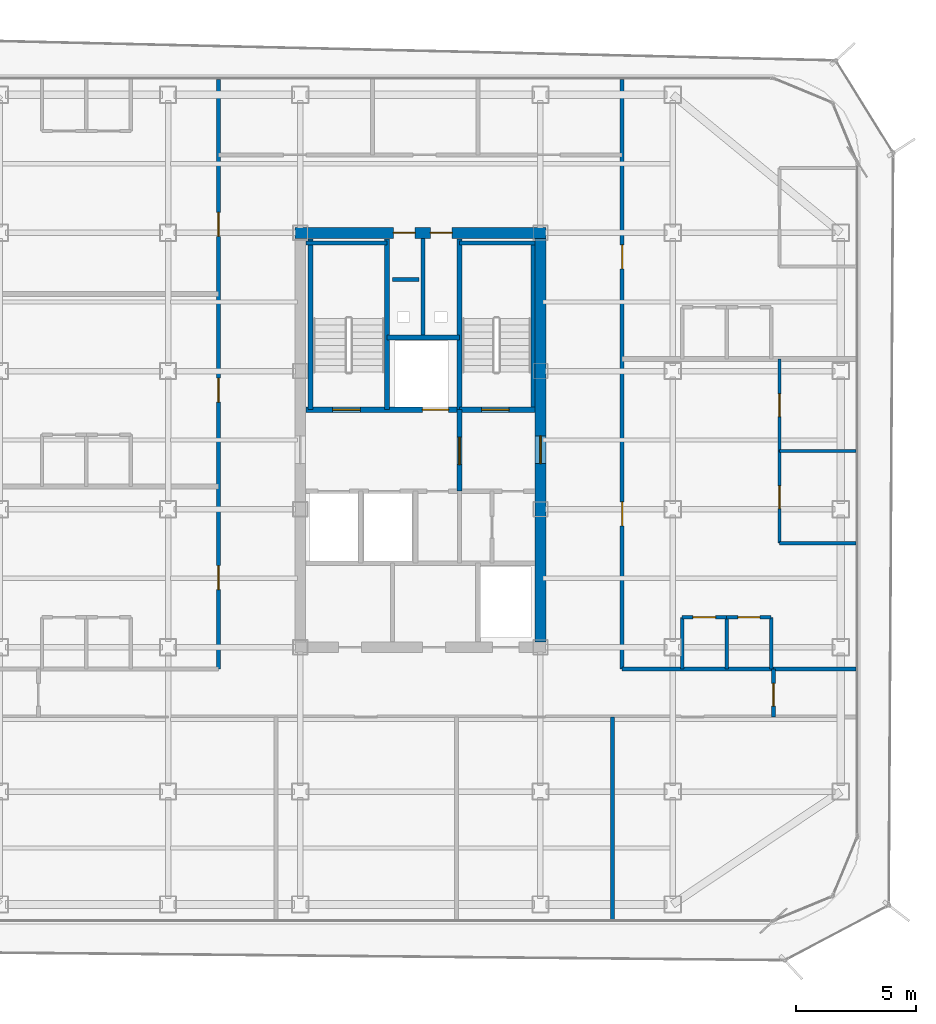
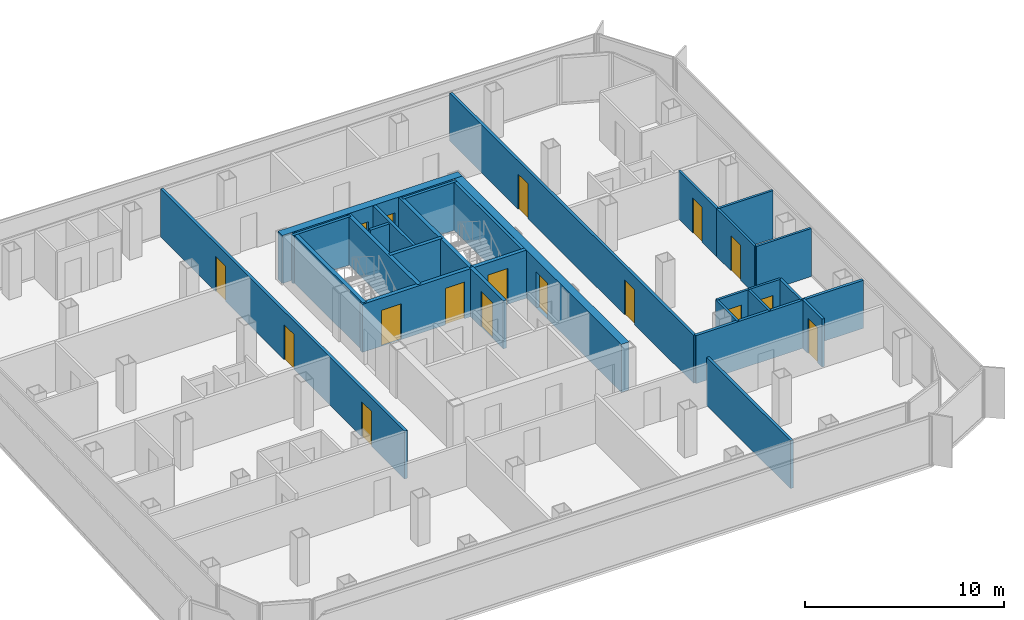
# One storey, part 11 of 15: 29 walls, 17 doors, 17 openings.
"""IFC4 building model written with IfcOpenShell, lengths in metres."""

from ifc_helpers import new_model, si_unit, direction, frame, frame_2d, origin, place, context, subcontext, project, spatial, rectangle, extrude, material, layer, layer_set, type_object, element, fill, save


model = new_model("IFC4")

# Units and contexts
model_context = context("Model", 3, precision=1e-05, world=origin(), true_north=direction((0.0, 1.0)))
body_context = subcontext(model_context, "Body", "Model", "MODEL_VIEW")
ifc_project = project(units=[si_unit("LENGTHUNIT", "METRE"), si_unit("AREAUNIT", "SQUARE_METRE"), si_unit("VOLUMEUNIT", "CUBIC_METRE"), si_unit("PLANEANGLEUNIT", "RADIAN"), si_unit("MASSUNIT", "GRAM", prefix="KILO")], contexts=[model_context])

# Site, building, storey
site_placement = place(None, origin())
site = spatial("IfcSite", under=ifc_project, at=site_placement, CompositionType="ELEMENT")
building_placement = place(site_placement, origin())
building = spatial("IfcBuilding", under=site, at=building_placement, Name="Kolveth Station Tower", CompositionType="ELEMENT")
storey_placement = place(building_placement, frame((0.0, 0.0, 196.39990234375)))
storey = spatial("IfcBuildingStorey", under=building, at=storey_placement, Name="L55", CompositionType="ELEMENT", Elevation=196.39990234375)

# Wall, openings, doors
ifc_material_1 = material(Name="Concrete C50/60", Category="concrete")
ifc_layer_1 = layer(ifc_material_1, 0.449951171875)
ifc_layer_set_1 = layer_set([ifc_layer_1], Name="Concrete C50/60")
wall_type_1 = type_object("IfcWallType", Name="Wall_CW-450", PredefinedType="SHEAR", material=ifc_layer_set_1)
wall_1_placement = place(storey_placement, frame((18.27490234375, 28.75, 0.0), z_axis=(0.0, 0.0, 1.0), x_axis=(1.0, 0.0, 0.0)))
wall_1 = element("IfcWall", 1, at=wall_1_placement, inside=storey, type_object=wall_type_1, Name="L55 Core RC Shear Wall N", PredefinedType="SHEAR", context=body_context, shape_type="SweptSolid", body=[
    extrude(rectangle(XDim=10.4501953125, YDim=0.449951171875, at=frame_2d((5.22509765625, 0.0))), origin(), (0.0, 0.0, 1.0), 2.9501953125),
])
opening_1_placement = place(wall_1_placement, frame((4.10498046875, 0.0, 0.0)))
opening_1 = element("IfcOpeningElement", 2, at=opening_1_placement, cuts=wall_1, Name="Opening RD1", PredefinedType="OPENING", context=body_context, shape_type="SweptSolid", body=[
    extrude(rectangle(XDim=0.89990234375, YDim=2.050048828125, at=frame_2d((0.449951171875, 1.02490234375))), frame((0.0, 0.23486328125, 0.0), z_axis=(0.0, -1.0, 0.0), x_axis=(1.0, 0.0, 0.0)), (0.0, 0.0, 1.0), 0.469970703125),
])
opening_2_placement = place(wall_1_placement, frame((5.64501953125, 0.0, 0.0)))
opening_2 = element("IfcOpeningElement", 3, at=opening_2_placement, cuts=wall_1, Name="Opening RD1", PredefinedType="OPENING", context=body_context, shape_type="SweptSolid", body=[
    extrude(rectangle(XDim=0.89990234375, YDim=2.050048828125, at=frame_2d((0.449951171875, 1.02490234375))), frame((0.0, 0.23486328125, 0.0), z_axis=(0.0, -1.0, 0.0), x_axis=(1.0, 0.0, 0.0)), (0.0, 0.0, 1.0), 0.469970703125),
])
ifc_material_2 = material(Name="Fire-rated Steel S355 riser access leaf", Category="steel")
door_type_1 = type_object("IfcDoorType", Name="Door_RD1", OperationType="NOTDEFINED", PredefinedType="DOOR", material=ifc_material_2)
door_1_placement = place(opening_1_placement, origin())
door_1 = element("IfcDoor", 4, at=door_1_placement, inside=storey, type_object=door_type_1, Name="L55 Electrical Riser Access Door", OperationType="SINGLE_SWING_LEFT", OverallHeight=2.050048828125, OverallWidth=0.89990234375, PredefinedType="DOOR", context=body_context, shape_type="SweptSolid", body=[
    extrude(rectangle(XDim=0.89990234375, YDim=2.050048828125, at=frame_2d((0.449951171875, 1.02490234375))), frame((0.0, 0.02490234375, 0.0), z_axis=(0.0, -1.0, 0.0), x_axis=(1.0, 0.0, 0.0)), (0.0, 0.0, 1.0), 0.050048828125),
])
fill(opening_1, door_1)
door_2_placement = place(opening_2_placement, origin())
door_2 = element("IfcDoor", 5, at=door_2_placement, inside=storey, type_object=door_type_1, Name="L55 Smoke Duct Access Door", OperationType="SINGLE_SWING_RIGHT", OverallHeight=2.050048828125, OverallWidth=0.89990234375, PredefinedType="DOOR", context=body_context, shape_type="SweptSolid", body=[
    extrude(rectangle(XDim=0.89990234375, YDim=2.050048828125, at=frame_2d((0.449951171875, 1.02490234375))), frame((0.0, 0.02490234375, 0.0), z_axis=(0.0, -1.0, 0.0), x_axis=(1.0, 0.0, 0.0)), (0.0, 0.0, 1.0), 0.050048828125),
])
fill(opening_2, door_2)

# Wall, opening, door
wall_2_placement = place(storey_placement, frame((28.5, 11.72509765625, 0.0), z_axis=(0.0, 0.0, 1.0), x_axis=(0.0, 1.0, 0.0)))
wall_2 = element("IfcWall", 6, at=wall_2_placement, inside=storey, type_object=wall_type_1, Name="L55 Core RC Shear Wall E", PredefinedType="SHEAR", context=body_context, shape_type="SweptSolid", body=[
    extrude(rectangle(XDim=16.7998046875, YDim=0.449951171875, at=frame_2d((8.39990234375, 0.0))), origin(), (0.0, 0.0, 1.0), 2.9501953125),
])
opening_3_placement = place(wall_2_placement, frame((7.425048828125, 0.0, 0.0)))
opening_3 = element("IfcOpeningElement", 7, at=opening_3_placement, cuts=wall_2, Name="Opening FD1", PredefinedType="OPENING", context=body_context, shape_type="SweptSolid", body=[
    extrude(rectangle(XDim=1.14990234375, YDim=2.199951171875, at=frame_2d((0.574951171875, 1.10009765625))), frame((0.0, 0.23486328125, 0.0), z_axis=(0.0, -1.0, 0.0), x_axis=(1.0, 0.0, 0.0)), (0.0, 0.0, 1.0), 0.469970703125),
])
ifc_material_3 = material(Name="Fire-rated Steel S355 leaf and frame", Category="steel")
door_type_2 = type_object("IfcDoorType", Name="Door_FD1", OperationType="NOTDEFINED", PredefinedType="DOOR", material=ifc_material_3)
door_3_placement = place(opening_3_placement, origin())
door_3 = element("IfcDoor", 8, at=door_3_placement, inside=storey, type_object=door_type_2, Name="L55 East Corridor to Stair Lobby Door", OperationType="SINGLE_SWING_RIGHT", OverallHeight=2.199951171875, OverallWidth=1.14990234375, PredefinedType="DOOR", context=body_context, shape_type="SweptSolid", body=[
    extrude(rectangle(XDim=1.14990234375, YDim=2.199951171875, at=frame_2d((0.574951171875, 1.10009765625))), frame((0.0, 0.02490234375, 0.0), z_axis=(0.0, -1.0, 0.0), x_axis=(1.0, 0.0, 0.0)), (0.0, 0.0, 1.0), 0.050048828125),
])
fill(opening_3, door_3)

ifc_material_4 = material(Name="Moisture-resistant gypsum partition")
ifc_layer_2 = layer(ifc_material_4, 0.135009765625)
ifc_layer_set_2 = layer_set([ifc_layer_2], Name="Moisture-resistant gypsum partition")
wall_type_2 = type_object("IfcWallType", Name="Wall_IW-135", PredefinedType="PARTITIONING", material=ifc_layer_set_2)
wall_3_placement = place(storey_placement, frame((34.39990234375, 12.75, 0.0), z_axis=(0.0, 0.0, 1.0), x_axis=(1.0, 0.0, 0.0)))
wall_3 = element("IfcWall", 9, at=wall_3_placement, inside=storey, type_object=wall_type_2, Name="L55 Partition Wall WL-L55-E1-IBHK", PredefinedType="PARTITIONING", context=body_context, shape_type="SweptSolid", body=[
    extrude(rectangle(XDim=1.85009765625, YDim=0.135009765625, at=frame_2d((0.925048828125, 0.0))), origin(), (0.0, 0.0, 1.0), 2.9501953125),
])
opening_4_placement = place(wall_3_placement, frame((0.445068359375, 0.0, 0.0)))
opening_4 = element("IfcOpeningElement", 10, at=opening_4_placement, cuts=wall_3, Name="Opening ID1", PredefinedType="OPENING", context=body_context, shape_type="SweptSolid", body=[
    extrude(rectangle(XDim=0.949951171875, YDim=2.14990234375, at=frame_2d((0.47509765625, 1.074951171875))), frame((0.0, 0.077392578125, 0.0), z_axis=(0.0, -1.0, 0.0), x_axis=(1.0, 0.0, 0.0)), (0.0, 0.0, 1.0), 0.155029296875),
])
ifc_material_5 = material(Name="Acoustic hardwood leaf and aluminium frame", Category="wood")
door_type_3 = type_object("IfcDoorType", Name="Door_ID1", OperationType="NOTDEFINED", PredefinedType="DOOR", material=ifc_material_5)
door_4_placement = place(opening_4_placement, origin())
door_4 = element("IfcDoor", 11, at=door_4_placement, inside=storey, type_object=door_type_3, Name="Penthouse Flat L55-E1 Kitchen Door", OperationType="SINGLE_SWING_RIGHT", OverallHeight=2.14990234375, OverallWidth=0.949951171875, PredefinedType="DOOR", context=body_context, shape_type="SweptSolid", body=[
    extrude(rectangle(XDim=0.949951171875, YDim=2.14990234375, at=frame_2d((0.47509765625, 1.074951171875))), frame((0.0, 0.02490234375, 0.0), z_axis=(0.0, -1.0, 0.0), x_axis=(1.0, 0.0, 0.0)), (0.0, 0.0, 1.0), 0.050048828125),
])
fill(opening_4, door_4)

wall_4_placement = place(storey_placement, frame((36.25, 12.75, 0.0), z_axis=(0.0, 0.0, 1.0), x_axis=(1.0, 0.0, 0.0)))
wall_4 = element("IfcWall", 12, at=wall_4_placement, inside=storey, type_object=wall_type_2, Name="L55 Partition Wall WL-L55-E1-IBHB", PredefinedType="PARTITIONING", context=body_context, shape_type="SweptSolid", body=[
    extrude(rectangle(XDim=1.85009765625, YDim=0.135009765625, at=frame_2d((0.925048828125, 0.0))), origin(), (0.0, 0.0, 1.0), 2.9501953125),
])
opening_5_placement = place(wall_4_placement, frame((0.465087890625, 0.0, 0.0)))
opening_5 = element("IfcOpeningElement", 13, at=opening_5_placement, cuts=wall_4, Name="Opening ID2", PredefinedType="OPENING", context=body_context, shape_type="SweptSolid", body=[
    extrude(rectangle(XDim=0.919921875, YDim=2.10009765625, at=frame_2d((0.4599609375, 1.050048828125))), frame((0.0, 0.077392578125, 0.0), z_axis=(0.0, -1.0, 0.0), x_axis=(1.0, 0.0, 0.0)), (0.0, 0.0, 1.0), 0.155029296875),
])
ifc_material_6 = material(Name="Moisture-resistant hardwood leaf", Category="wood")
door_type_4 = type_object("IfcDoorType", Name="Door_ID2", OperationType="NOTDEFINED", PredefinedType="DOOR", material=ifc_material_6)
door_5_placement = place(opening_5_placement, origin())
door_5 = element("IfcDoor", 14, at=door_5_placement, inside=storey, type_object=door_type_4, Name="Penthouse Flat L55-E1 Bathroom Door", OperationType="SINGLE_SWING_LEFT", OverallHeight=2.10009765625, OverallWidth=0.919921875, PredefinedType="DOOR", context=body_context, shape_type="SweptSolid", body=[
    extrude(rectangle(XDim=0.919921875, YDim=2.10009765625, at=frame_2d((0.4599609375, 1.050048828125))), frame((0.0, 0.02490234375, 0.0), z_axis=(0.0, -1.0, 0.0), x_axis=(1.0, 0.0, 0.0)), (0.0, 0.0, 1.0), 0.050048828125),
])
fill(opening_5, door_5)

# Walls
for number, where, z_axis, x_axis, name in (
    (15, (34.39990234375, 10.60009765625, 0.0), (0.0, 0.0, 1.0), (0.0, 1.0, 0.0), "L55 Partition Wall WL-L55-E1-IBV0"),
    (16, (36.25, 10.60009765625, 0.0), (0.0, 0.0, 1.0), (0.0, 1.0, 0.0), "L55 Partition Wall WL-L55-E1-IBV1"),
    (17, (38.10009765625, 10.60009765625, 0.0), (0.0, 0.0, 1.0), (0.0, 1.0, 0.0), "L55 Partition Wall WL-L55-E1-IBV2"),
):
    element("IfcWall", number, at=place(storey_placement, frame(where, z_axis=z_axis, x_axis=x_axis)), inside=storey, type_object=wall_type_2, Name=name, PredefinedType="PARTITIONING", context=body_context, shape_type="SweptSolid", body=[
        extrude(rectangle(XDim=2.14990234375, YDim=0.135009765625, at=frame_2d((1.074951171875, 0.0))), origin(), (0.0, 0.0, 1.0), 2.9501953125),
    ])
wall_5_placement = place(storey_placement, frame((38.449951171875, 15.83203125, 0.0), z_axis=(0.0, 0.0, 1.0), x_axis=(1.0, 0.0, 0.0)))
element("IfcWall", 18, at=wall_5_placement, inside=storey, type_object=wall_type_2, Name="L55 Partition Wall WL-L55-E1-BDH0", PredefinedType="PARTITIONING", context=body_context, shape_type="SweptSolid", body=[
    extrude(rectangle(XDim=3.18994140625, YDim=0.135009765625, at=frame_2d((1.594970703125, 0.0))), origin(), (0.0, 0.0, 1.0), 2.9501953125),
])

# Wall, opening, door
wall_6_placement = place(storey_placement, frame((38.449951171875, 15.83203125, 0.0), z_axis=(0.0, 0.0, 1.0), x_axis=(0.0, 1.0, 0.0)))
wall_6 = element("IfcWall", 19, at=wall_6_placement, inside=storey, type_object=wall_type_2, Name="L55 Partition Wall WL-L55-E1-BDV1", PredefinedType="PARTITIONING", context=body_context, shape_type="SweptSolid", body=[
    extrude(rectangle(XDim=3.833984375, YDim=0.135009765625, at=frame_2d((1.9169921875, 0.0))), origin(), (0.0, 0.0, 1.0), 2.9501953125),
])
opening_6_placement = place(wall_6_placement, frame((1.43701171875, 0.0, 0.0)))
opening_6 = element("IfcOpeningElement", 20, at=opening_6_placement, cuts=wall_6, Name="Opening ID1", PredefinedType="OPENING", context=body_context, shape_type="SweptSolid", body=[
    extrude(rectangle(XDim=0.949951171875, YDim=2.14990234375, at=frame_2d((0.47509765625, 1.074951171875))), frame((0.0, 0.077392578125, 0.0), z_axis=(0.0, -1.0, 0.0), x_axis=(1.0, 0.0, 0.0)), (0.0, 0.0, 1.0), 0.155029296875),
])
door_6_placement = place(opening_6_placement, frame((0.949951171875, 0.0, 0.0), z_axis=(0.0, 0.0, 1.0), x_axis=(-1.0, 0.0, 0.0)))
door_6 = element("IfcDoor", 21, at=door_6_placement, inside=storey, type_object=door_type_3, Name="Penthouse Flat L55-E1 Bedroom 1 Door", OperationType="SINGLE_SWING_LEFT", OverallHeight=2.14990234375, OverallWidth=0.949951171875, PredefinedType="DOOR", context=body_context, shape_type="SweptSolid", body=[
    extrude(rectangle(XDim=0.949951171875, YDim=2.14990234375, at=frame_2d((0.47509765625, 1.074951171875))), frame((0.0, 0.02490234375, 0.0), z_axis=(0.0, -1.0, 0.0), x_axis=(1.0, 0.0, 0.0)), (0.0, 0.0, 1.0), 0.050048828125),
])
fill(opening_6, door_6)

wall_7_placement = place(storey_placement, frame((38.449951171875, 19.666015625, 0.0), z_axis=(0.0, 0.0, 1.0), x_axis=(0.0, 1.0, 0.0)))
wall_7 = element("IfcWall", 22, at=wall_7_placement, inside=storey, type_object=wall_type_2, Name="L55 Partition Wall WL-L55-E1-BDV2", PredefinedType="PARTITIONING", context=body_context, shape_type="SweptSolid", body=[
    extrude(rectangle(XDim=3.833984375, YDim=0.135009765625, at=frame_2d((1.9169921875, 0.0))), origin(), (0.0, 0.0, 1.0), 2.9501953125),
])
opening_7_placement = place(wall_7_placement, frame((1.43701171875, 0.0, 0.0)))
opening_7 = element("IfcOpeningElement", 23, at=opening_7_placement, cuts=wall_7, Name="Opening ID1", PredefinedType="OPENING", context=body_context, shape_type="SweptSolid", body=[
    extrude(rectangle(XDim=0.949951171875, YDim=2.14990234375, at=frame_2d((0.47509765625, 1.074951171875))), frame((0.0, 0.077392578125, 0.0), z_axis=(0.0, -1.0, 0.0), x_axis=(1.0, 0.0, 0.0)), (0.0, 0.0, 1.0), 0.155029296875),
])
door_7_placement = place(opening_7_placement, frame((0.949951171875, 0.0, 0.0), z_axis=(0.0, 0.0, 1.0), x_axis=(-1.0, 0.0, 0.0)))
door_7 = element("IfcDoor", 24, at=door_7_placement, inside=storey, type_object=door_type_3, Name="Penthouse Flat L55-E1 Bedroom 2 Door", OperationType="SINGLE_SWING_LEFT", OverallHeight=2.14990234375, OverallWidth=0.949951171875, PredefinedType="DOOR", context=body_context, shape_type="SweptSolid", body=[
    extrude(rectangle(XDim=0.949951171875, YDim=2.14990234375, at=frame_2d((0.47509765625, 1.074951171875))), frame((0.0, 0.02490234375, 0.0), z_axis=(0.0, -1.0, 0.0), x_axis=(1.0, 0.0, 0.0)), (0.0, 0.0, 1.0), 0.050048828125),
])
fill(opening_7, door_7)

# Walls
wall_8_placement = place(storey_placement, frame((38.449951171875, 19.666015625, 0.0), z_axis=(0.0, 0.0, 1.0), x_axis=(1.0, 0.0, 0.0)))
element("IfcWall", 25, at=wall_8_placement, inside=storey, type_object=wall_type_2, Name="L55 Partition Wall WL-L55-E1-BDH1", PredefinedType="PARTITIONING", context=body_context, shape_type="SweptSolid", body=[
    extrude(rectangle(XDim=3.18994140625, YDim=0.135009765625, at=frame_2d((1.594970703125, 0.0))), origin(), (0.0, 0.0, 1.0), 2.9501953125),
])
ifc_material_7 = material(Name="Acoustic double-stud gypsum partition")
ifc_layer_3 = layer(ifc_material_7, 0.1650390625)
ifc_layer_set_3 = layer_set([ifc_layer_3], Name="Acoustic double-stud gypsum partition")
wall_type_3 = type_object("IfcWallType", Name="Wall_IW-165", PredefinedType="PARTITIONING", material=ifc_layer_set_3)
wall_9_placement = place(storey_placement, frame((18.735107421875, 28.3349609375, 0.0), z_axis=(0.0, 0.0, 1.0), x_axis=(1.0, 0.0, 0.0)))
element("IfcWall", 26, at=wall_9_placement, inside=storey, type_object=wall_type_3, Name="L55 Stair Shaft Wall WL-L55-ST1-N", PredefinedType="PARTITIONING", context=body_context, shape_type="SweptSolid", body=[
    extrude(rectangle(XDim=3.375, YDim=0.1650390625, at=frame_2d((1.6875, 0.0))), origin(), (0.0, 0.0, 1.0), 2.9501953125),
])
wall_10_placement = place(storey_placement, frame((25.1298828125, 28.3349609375, 0.0), z_axis=(0.0, 0.0, 1.0), x_axis=(1.0, 0.0, 0.0)))
element("IfcWall", 27, at=wall_10_placement, inside=storey, type_object=wall_type_3, Name="L55 Stair Shaft Wall WL-L55-ST2-N", PredefinedType="PARTITIONING", context=body_context, shape_type="SweptSolid", body=[
    extrude(rectangle(XDim=3.135009765625, YDim=0.1650390625, at=frame_2d((1.5673828125, 0.0))), origin(), (0.0, 0.0, 1.0), 2.9501953125),
])
wall_11_placement = place(storey_placement, frame((28.1826171875, 21.389892578125, 0.0), z_axis=(0.0, 0.0, 1.0), x_axis=(0.0, 1.0, 0.0)))
element("IfcWall", 28, at=wall_11_placement, inside=storey, type_object=wall_type_3, Name="L55 Stair Shaft Wall WL-L55-ST2-E", PredefinedType="PARTITIONING", context=body_context, shape_type="SweptSolid", body=[
    extrude(rectangle(XDim=6.945068359375, YDim=0.1650390625, at=frame_2d((3.47265625, 0.0))), origin(), (0.0, 0.0, 1.0), 2.9501953125),
])
wall_12_placement = place(storey_placement, frame((23.6201171875, 24.39990234375, 0.0), z_axis=(0.0, 0.0, 1.0), x_axis=(0.0, 1.0, 0.0)))
element("IfcWall", 29, at=wall_12_placement, inside=storey, type_object=wall_type_3, Name="L55 Partition Wall WL-L55-RSR-M", PredefinedType="PARTITIONING", context=body_context, shape_type="SweptSolid", body=[
    extrude(rectangle(XDim=4.114990234375, YDim=0.1650390625, at=frame_2d((2.0576171875, 0.0))), origin(), (0.0, 0.0, 1.0), 2.9501953125),
])
wall_13_placement = place(storey_placement, frame((31.89990234375, 10.60009765625, 0.0), z_axis=(0.0, 0.0, 1.0), x_axis=(1.0, 0.0, 0.0)))
element("IfcWall", 30, at=wall_13_placement, inside=storey, type_object=wall_type_3, Name="L55 Partition Wall WL-L55-RSET", PredefinedType="PARTITIONING", context=body_context, shape_type="SweptSolid", body=[
    extrude(rectangle(XDim=6.300048828125, YDim=0.1650390625, at=frame_2d((3.14990234375, 0.0))), origin(), (0.0, 0.0, 1.0), 2.9501953125),
])

# Wall, opening, door
wall_14_placement = place(storey_placement, frame((38.199951171875, 8.60009765625, 0.0), z_axis=(0.0, 0.0, 1.0), x_axis=(0.0, 1.0, 0.0)))
wall_14 = element("IfcWall", 31, at=wall_14_placement, inside=storey, type_object=wall_type_3, Name="L55 Partition Wall WL-L55-RSEE", PredefinedType="PARTITIONING", context=body_context, shape_type="SweptSolid", body=[
    extrude(rectangle(XDim=2.0, YDim=0.1650390625, at=frame_2d((1.0, 0.0))), origin(), (0.0, 0.0, 1.0), 2.9501953125),
])
opening_8_placement = place(wall_14_placement, frame((0.449951171875, 0.0, 0.0)))
opening_8 = element("IfcOpeningElement", 32, at=opening_8_placement, cuts=wall_14, Name="Opening ID1", PredefinedType="OPENING", context=body_context, shape_type="SweptSolid", body=[
    extrude(rectangle(XDim=0.949951171875, YDim=2.14990234375, at=frame_2d((0.47509765625, 1.074951171875))), frame((0.0, 0.092529296875, 0.0), z_axis=(0.0, -1.0, 0.0), x_axis=(1.0, 0.0, 0.0)), (0.0, 0.0, 1.0), 0.18505859375),
])
door_8_placement = place(opening_8_placement, origin())
door_8 = element("IfcDoor", 33, at=door_8_placement, inside=storey, type_object=door_type_3, Name="L55 Hobby Study Door", OperationType="SINGLE_SWING_RIGHT", OverallHeight=2.14990234375, OverallWidth=0.949951171875, PredefinedType="DOOR", context=body_context, shape_type="SweptSolid", body=[
    extrude(rectangle(XDim=0.949951171875, YDim=2.14990234375, at=frame_2d((0.47509765625, 1.074951171875))), frame((0.0, 0.02490234375, 0.0), z_axis=(0.0, -1.0, 0.0), x_axis=(1.0, 0.0, 0.0)), (0.0, 0.0, 1.0), 0.050048828125),
])
fill(opening_8, door_8)

# Wall, openings, doors
wall_15_placement = place(storey_placement, frame((15.10009765625, 10.60009765625, 0.0), z_axis=(0.0, 0.0, 1.0), x_axis=(0.0, 1.0, 0.0)))
wall_15 = element("IfcWall", 34, at=wall_15_placement, inside=storey, type_object=wall_type_3, Name="L55 Partition Wall WL-L55-RW", PredefinedType="PARTITIONING", context=body_context, shape_type="SweptSolid", body=[
    extrude(rectangle(XDim=24.539794921875, YDim=0.1650390625, at=frame_2d((12.27001953125, 0.0))), origin(), (0.0, 0.0, 1.0), 2.9501953125),
])
opening_9_placement = place(wall_15_placement, frame((3.300048828125, 0.0, 0.0)))
opening_9 = element("IfcOpeningElement", 35, at=opening_9_placement, cuts=wall_15, Name="Opening FD3", PredefinedType="OPENING", context=body_context, shape_type="SweptSolid", body=[
    extrude(rectangle(XDim=1.0, YDim=2.14990234375, at=frame_2d((0.5, 1.074951171875))), frame((0.0, 0.092529296875, 0.0), z_axis=(0.0, -1.0, 0.0), x_axis=(1.0, 0.0, 0.0)), (0.0, 0.0, 1.0), 0.18505859375),
])
opening_10_placement = place(wall_15_placement, frame((11.10009765625, 0.0, 0.0)))
opening_10 = element("IfcOpeningElement", 36, at=opening_10_placement, cuts=wall_15, Name="Opening FD3", PredefinedType="OPENING", context=body_context, shape_type="SweptSolid", body=[
    extrude(rectangle(XDim=1.0, YDim=2.14990234375, at=frame_2d((0.5, 1.074951171875))), frame((0.0, 0.092529296875, 0.0), z_axis=(0.0, -1.0, 0.0), x_axis=(1.0, 0.0, 0.0)), (0.0, 0.0, 1.0), 0.18505859375),
])
opening_11_placement = place(wall_15_placement, frame((18.0, 0.0, 0.0)))
opening_11 = element("IfcOpeningElement", 37, at=opening_11_placement, cuts=wall_15, Name="Opening FD3", PredefinedType="OPENING", context=body_context, shape_type="SweptSolid", body=[
    extrude(rectangle(XDim=1.0, YDim=2.14990234375, at=frame_2d((0.5, 1.074951171875))), frame((0.0, 0.092529296875, 0.0), z_axis=(0.0, -1.0, 0.0), x_axis=(1.0, 0.0, 0.0)), (0.0, 0.0, 1.0), 0.18505859375),
])
ifc_material_8 = material(Name="Fire-rated hardwood leaf and aluminium frame", Category="wood")
door_type_5 = type_object("IfcDoorType", Name="Door_FD3", OperationType="NOTDEFINED", PredefinedType="DOOR", material=ifc_material_8)
door_9_placement = place(opening_9_placement, origin())
door_9 = element("IfcDoor", 38, at=door_9_placement, inside=storey, type_object=door_type_5, Name="Penthouse Flat L55-W1 Entrance Door", OperationType="SINGLE_SWING_LEFT", OverallHeight=2.14990234375, OverallWidth=1.0, PredefinedType="DOOR", context=body_context, shape_type="SweptSolid", body=[
    extrude(rectangle(XDim=1.0, YDim=2.14990234375, at=frame_2d((0.5, 1.074951171875))), frame((0.0, 0.02490234375, 0.0), z_axis=(0.0, -1.0, 0.0), x_axis=(1.0, 0.0, 0.0)), (0.0, 0.0, 1.0), 0.050048828125),
])
fill(opening_9, door_9)
door_10_placement = place(opening_10_placement, origin())
door_10 = element("IfcDoor", 39, at=door_10_placement, inside=storey, type_object=door_type_5, Name="Penthouse Flat L55-W2 Entrance Door", OperationType="SINGLE_SWING_RIGHT", OverallHeight=2.14990234375, OverallWidth=1.0, PredefinedType="DOOR", context=body_context, shape_type="SweptSolid", body=[
    extrude(rectangle(XDim=1.0, YDim=2.14990234375, at=frame_2d((0.5, 1.074951171875))), frame((0.0, 0.02490234375, 0.0), z_axis=(0.0, -1.0, 0.0), x_axis=(1.0, 0.0, 0.0)), (0.0, 0.0, 1.0), 0.050048828125),
])
fill(opening_10, door_10)
door_11_placement = place(opening_11_placement, origin())
door_11 = element("IfcDoor", 40, at=door_11_placement, inside=storey, type_object=door_type_5, Name="Penthouse Flat L55-W3 Entrance Door", OperationType="SINGLE_SWING_LEFT", OverallHeight=2.14990234375, OverallWidth=1.0, PredefinedType="DOOR", context=body_context, shape_type="SweptSolid", body=[
    extrude(rectangle(XDim=1.0, YDim=2.14990234375, at=frame_2d((0.5, 1.074951171875))), frame((0.0, 0.02490234375, 0.0), z_axis=(0.0, -1.0, 0.0), x_axis=(1.0, 0.0, 0.0)), (0.0, 0.0, 1.0), 0.050048828125),
])
fill(opening_11, door_11)

wall_16_placement = place(storey_placement, frame((31.89990234375, 10.60009765625, 0.0), z_axis=(0.0, 0.0, 1.0), x_axis=(0.0, 1.0, 0.0)))
wall_16 = element("IfcWall", 41, at=wall_16_placement, inside=storey, type_object=wall_type_3, Name="L55 Partition Wall WL-L55-RE", PredefinedType="PARTITIONING", context=body_context, shape_type="SweptSolid", body=[
    extrude(rectangle(XDim=24.539794921875, YDim=0.1650390625, at=frame_2d((12.27001953125, 0.0))), origin(), (0.0, 0.0, 1.0), 2.9501953125),
])
opening_12_placement = place(wall_16_placement, frame((5.949951171875, 0.0, 0.0)))
opening_12 = element("IfcOpeningElement", 42, at=opening_12_placement, cuts=wall_16, Name="Opening FD3", PredefinedType="OPENING", context=body_context, shape_type="SweptSolid", body=[
    extrude(rectangle(XDim=1.0, YDim=2.14990234375, at=frame_2d((0.5, 1.074951171875))), frame((0.0, 0.092529296875, 0.0), z_axis=(0.0, -1.0, 0.0), x_axis=(1.0, 0.0, 0.0)), (0.0, 0.0, 1.0), 0.18505859375),
])
opening_13_placement = place(wall_16_placement, frame((16.64990234375, 0.0, 0.0)))
opening_13 = element("IfcOpeningElement", 43, at=opening_13_placement, cuts=wall_16, Name="Opening FD3", PredefinedType="OPENING", context=body_context, shape_type="SweptSolid", body=[
    extrude(rectangle(XDim=1.0, YDim=2.14990234375, at=frame_2d((0.5, 1.074951171875))), frame((0.0, 0.092529296875, 0.0), z_axis=(0.0, -1.0, 0.0), x_axis=(1.0, 0.0, 0.0)), (0.0, 0.0, 1.0), 0.18505859375),
])
door_12_placement = place(opening_12_placement, frame((1.0, 0.0, 0.0), z_axis=(0.0, 0.0, 1.0), x_axis=(-1.0, 0.0, 0.0)))
door_12 = element("IfcDoor", 44, at=door_12_placement, inside=storey, type_object=door_type_5, Name="Penthouse Flat L55-E1 Entrance Door", OperationType="SINGLE_SWING_RIGHT", OverallHeight=2.14990234375, OverallWidth=1.0, PredefinedType="DOOR", context=body_context, shape_type="SweptSolid", body=[
    extrude(rectangle(XDim=1.0, YDim=2.14990234375, at=frame_2d((0.5, 1.074951171875))), frame((0.0, 0.02490234375, 0.0), z_axis=(0.0, -1.0, 0.0), x_axis=(1.0, 0.0, 0.0)), (0.0, 0.0, 1.0), 0.050048828125),
])
fill(opening_12, door_12)
door_13_placement = place(opening_13_placement, frame((1.0, 0.0, 0.0), z_axis=(0.0, 0.0, 1.0), x_axis=(-1.0, 0.0, 0.0)))
door_13 = element("IfcDoor", 45, at=door_13_placement, inside=storey, type_object=door_type_5, Name="Penthouse Flat L55-E2 Entrance Door", OperationType="SINGLE_SWING_RIGHT", OverallHeight=2.14990234375, OverallWidth=1.0, PredefinedType="DOOR", context=body_context, shape_type="SweptSolid", body=[
    extrude(rectangle(XDim=1.0, YDim=2.14990234375, at=frame_2d((0.5, 1.074951171875))), frame((0.0, 0.02490234375, 0.0), z_axis=(0.0, -1.0, 0.0), x_axis=(1.0, 0.0, 0.0)), (0.0, 0.0, 1.0), 0.050048828125),
])
fill(opening_13, door_13)

# Walls
wall_17_placement = place(storey_placement, frame((31.5, 0.159912109375, 0.0), z_axis=(0.0, 0.0, 1.0), x_axis=(0.0, 1.0, 0.0)))
element("IfcWall", 46, at=wall_17_placement, inside=storey, type_object=wall_type_3, Name="L55 Partition Wall WL-L55-RSA-P3", PredefinedType="PARTITIONING", context=body_context, shape_type="SweptSolid", body=[
    extrude(rectangle(XDim=8.440185546875, YDim=0.1650390625, at=frame_2d((4.22021484375, 0.0))), origin(), (0.0, 0.0, 1.0), 2.9501953125),
])
wall_18_placement = place(storey_placement, frame((38.199951171875, 10.60009765625, 0.0), z_axis=(0.0, 0.0, 1.0), x_axis=(1.0, 0.0, 0.0)))
element("IfcWall", 47, at=wall_18_placement, inside=storey, type_object=wall_type_3, Name="L55 Partition Wall WL-L55-ESTN", PredefinedType="PARTITIONING", context=body_context, shape_type="SweptSolid", body=[
    extrude(rectangle(XDim=3.43994140625, YDim=0.1650390625, at=frame_2d((1.719970703125, 0.0))), origin(), (0.0, 0.0, 1.0), 2.9501953125),
])
wall_19_placement = place(storey_placement, frame((22.35009765625, 26.800048828125, 0.0), z_axis=(0.0, 0.0, 1.0), x_axis=(1.0, 0.0, 0.0)))
element("IfcWall", 48, at=wall_19_placement, inside=storey, type_object=wall_type_3, Name="L55 Acoustic Riser Dry-Lining Wall", PredefinedType="PARTITIONING", context=body_context, shape_type="SweptSolid", body=[
    extrude(rectangle(XDim=1.099853515625, YDim=0.1650390625, at=frame_2d((0.5498046875, 0.0))), origin(), (0.0, 0.0, 1.0), 2.9501953125),
])
ifc_material_9 = material(Name="Acoustic fire-rated gypsum blockwork", Category="masonry")
ifc_layer_4 = layer(ifc_material_9, 0.199951171875)
ifc_layer_set_4 = layer_set([ifc_layer_4], Name="Acoustic fire-rated gypsum blockwork")
wall_type_4 = type_object("IfcWallType", Name="Wall_IW-200", PredefinedType="PARTITIONING", material=ifc_layer_set_4)
wall_20_placement = place(storey_placement, frame((22.110107421875, 24.39990234375, 0.0), z_axis=(0.0, 0.0, 1.0), x_axis=(1.0, 0.0, 0.0)))
element("IfcWall", 49, at=wall_20_placement, inside=storey, type_object=wall_type_4, Name="L55 Partition Wall WL-L55-RSR-S", PredefinedType="PARTITIONING", context=body_context, shape_type="SweptSolid", body=[
    extrude(rectangle(XDim=3.019775390625, YDim=0.199951171875, at=frame_2d((1.509765625, 0.0))), origin(), (0.0, 0.0, 1.0), 2.9501953125),
])

# Wall, opening, door
wall_21_placement = place(storey_placement, frame((25.1298828125, 18.0, 0.0), z_axis=(0.0, 0.0, 1.0), x_axis=(0.0, 1.0, 0.0)))
wall_21 = element("IfcWall", 50, at=wall_21_placement, inside=storey, type_object=wall_type_4, Name="L55 Partition Wall WL-L55-FFL-E", PredefinedType="PARTITIONING", context=body_context, shape_type="SweptSolid", body=[
    extrude(rectangle(XDim=3.389892578125, YDim=0.199951171875, at=frame_2d((1.69482421875, 0.0))), origin(), (0.0, 0.0, 1.0), 2.9501953125),
])
opening_14_placement = place(wall_21_placement, frame((1.10009765625, 0.0, 0.0)))
opening_14 = element("IfcOpeningElement", 51, at=opening_14_placement, cuts=wall_21, Name="Opening FD1", PredefinedType="OPENING", context=body_context, shape_type="SweptSolid", body=[
    extrude(rectangle(XDim=1.14990234375, YDim=2.199951171875, at=frame_2d((0.574951171875, 1.10009765625))), frame((0.0, 0.10986328125, 0.0), z_axis=(0.0, -1.0, 0.0), x_axis=(1.0, 0.0, 0.0)), (0.0, 0.0, 1.0), 0.219970703125),
])
door_14_placement = place(opening_14_placement, origin())
door_14 = element("IfcDoor", 52, at=door_14_placement, inside=storey, type_object=door_type_2, Name="L55 Firefighting to Stair Lobby Door", OperationType="SINGLE_SWING_LEFT", OverallHeight=2.199951171875, OverallWidth=1.14990234375, PredefinedType="DOOR", context=body_context, shape_type="SweptSolid", body=[
    extrude(rectangle(XDim=1.14990234375, YDim=2.199951171875, at=frame_2d((0.574951171875, 1.10009765625))), frame((0.0, 0.02490234375, 0.0), z_axis=(0.0, -1.0, 0.0), x_axis=(1.0, 0.0, 0.0)), (0.0, 0.0, 1.0), 0.050048828125),
])
fill(opening_14, door_14)

# Walls
ifc_material_10 = material(Name="Concrete C40/50", Category="concrete")
ifc_layer_5 = layer(ifc_material_10, 0.219970703125)
ifc_layer_set_5 = layer_set([ifc_layer_5], Name="Concrete C40/50")
wall_type_5 = type_object("IfcWallType", Name="Wall_IW-220", PredefinedType="SOLIDWALL", material=ifc_layer_set_5)
for number, where, z_axis, x_axis, name in (
    (53, (18.929931640625, 21.389892578125, 0.0), (0.0, 0.0, 1.0), (0.0, 1.0, 0.0), "L55 Stair Shaft Wall WL-L55-ST1-W"),
    (54, (22.110107421875, 21.389892578125, 0.0), (0.0, 0.0, 1.0), (0.0, 1.0, 0.0), "L55 Stair Shaft Wall WL-L55-ST1-E"),
    (55, (25.1298828125, 21.389892578125, 0.0), (0.0, 0.0, 1.0), (0.0, 1.0, 0.0), "L55 Stair Shaft Wall WL-L55-ST2-W"),
):
    element("IfcWall", number, at=place(storey_placement, frame(where, z_axis=z_axis, x_axis=x_axis)), inside=storey, type_object=wall_type_5, Name=name, PredefinedType="SOLIDWALL", context=body_context, shape_type="SweptSolid", body=[
        extrude(rectangle(XDim=7.110107421875, YDim=0.219970703125, at=frame_2d((3.55517578125, 0.0))), origin(), (0.0, 0.0, 1.0), 2.9501953125),
    ])

# Wall, openings, doors
wall_22_placement = place(storey_placement, frame((18.735107421875, 21.389892578125, 0.0), z_axis=(0.0, 0.0, 1.0), x_axis=(1.0, 0.0, 0.0)))
wall_22 = element("IfcWall", 56, at=wall_22_placement, inside=storey, type_object=wall_type_5, Name="L55 Stair Shaft Wall WL-L55-ST1-S", PredefinedType="SOLIDWALL", context=body_context, shape_type="SweptSolid", body=[
    extrude(rectangle(XDim=6.394775390625, YDim=0.219970703125, at=frame_2d((3.197265625, 0.0))), origin(), (0.0, 0.0, 1.0), 2.9501953125),
])
opening_15_placement = place(wall_22_placement, frame((1.114990234375, 0.0, 0.0)))
opening_15 = element("IfcOpeningElement", 57, at=opening_15_placement, cuts=wall_22, Name="Opening FD1", PredefinedType="OPENING", context=body_context, shape_type="SweptSolid", body=[
    extrude(rectangle(XDim=1.14990234375, YDim=2.199951171875, at=frame_2d((0.574951171875, 1.10009765625))), frame((0.0, 0.119873046875, 0.0), z_axis=(0.0, -1.0, 0.0), x_axis=(1.0, 0.0, 0.0)), (0.0, 0.0, 1.0), 0.239990234375),
])
opening_16_placement = place(wall_22_placement, frame((4.844970703125, 0.0, 0.0)))
opening_16 = element("IfcOpeningElement", 58, at=opening_16_placement, cuts=wall_22, Name="Opening LD1", PredefinedType="OPENING", context=body_context, shape_type="SweptSolid", body=[
    extrude(rectangle(XDim=1.10009765625, YDim=2.25, at=frame_2d((0.550048828125, 1.125))), frame((0.0, 0.119873046875, 0.0), z_axis=(0.0, -1.0, 0.0), x_axis=(1.0, 0.0, 0.0)), (0.0, 0.0, 1.0), 0.239990234375),
])
door_15_placement = place(opening_15_placement, frame((1.14990234375, 0.0, 0.0), z_axis=(0.0, 0.0, 1.0), x_axis=(-1.0, 0.0, 0.0)))
door_15 = element("IfcDoor", 59, at=door_15_placement, inside=storey, type_object=door_type_2, Name="L55 Stair ST1 Fire Door", OperationType="SINGLE_SWING_LEFT", OverallHeight=2.199951171875, OverallWidth=1.14990234375, PredefinedType="DOOR", context=body_context, shape_type="SweptSolid", body=[
    extrude(rectangle(XDim=1.14990234375, YDim=2.199951171875, at=frame_2d((0.574951171875, 1.10009765625))), frame((0.0, 0.02490234375, 0.0), z_axis=(0.0, -1.0, 0.0), x_axis=(1.0, 0.0, 0.0)), (0.0, 0.0, 1.0), 0.050048828125),
])
fill(opening_15, door_15)
ifc_material_11 = material(Name="Brushed stainless steel sliding landing doors", Category="steel")
door_type_6 = type_object("IfcDoorType", Name="Door_LD1", OperationType="NOTDEFINED", PredefinedType="DOOR", material=ifc_material_11)
door_16_placement = place(opening_16_placement, frame((1.10009765625, 0.0, 0.0), z_axis=(0.0, 0.0, 1.0), x_axis=(-1.0, 0.0, 0.0)))
door_16 = element("IfcDoor", 60, at=door_16_placement, inside=storey, type_object=door_type_6, Name="L55 Service Lift SV1 Landing Door", OperationType="DOUBLE_DOOR_SLIDING", OverallHeight=2.25, OverallWidth=1.10009765625, PredefinedType="DOOR", context=body_context, shape_type="SweptSolid", body=[
    extrude(rectangle(XDim=1.10009765625, YDim=2.25, at=frame_2d((0.550048828125, 1.125))), frame((0.0, 0.02490234375, 0.0), z_axis=(0.0, -1.0, 0.0), x_axis=(1.0, 0.0, 0.0)), (0.0, 0.0, 1.0), 0.050048828125),
])
fill(opening_16, door_16)

# Wall, opening, door
wall_23_placement = place(storey_placement, frame((25.1298828125, 21.389892578125, 0.0), z_axis=(0.0, 0.0, 1.0), x_axis=(1.0, 0.0, 0.0)))
wall_23 = element("IfcWall", 61, at=wall_23_placement, inside=storey, type_object=wall_type_5, Name="L55 Stair Shaft Wall WL-L55-ST2-S", PredefinedType="SOLIDWALL", context=body_context, shape_type="SweptSolid", body=[
    extrude(rectangle(XDim=3.135009765625, YDim=0.219970703125, at=frame_2d((1.5673828125, 0.0))), origin(), (0.0, 0.0, 1.0), 2.9501953125),
])
opening_17_placement = place(wall_23_placement, frame((0.919921875, 0.0, 0.0)))
opening_17 = element("IfcOpeningElement", 62, at=opening_17_placement, cuts=wall_23, Name="Opening FD1", PredefinedType="OPENING", context=body_context, shape_type="SweptSolid", body=[
    extrude(rectangle(XDim=1.14990234375, YDim=2.199951171875, at=frame_2d((0.574951171875, 1.10009765625))), frame((0.0, 0.119873046875, 0.0), z_axis=(0.0, -1.0, 0.0), x_axis=(1.0, 0.0, 0.0)), (0.0, 0.0, 1.0), 0.239990234375),
])
door_17_placement = place(opening_17_placement, frame((1.14990234375, 0.0, 0.0), z_axis=(0.0, 0.0, 1.0), x_axis=(-1.0, 0.0, 0.0)))
door_17 = element("IfcDoor", 63, at=door_17_placement, inside=storey, type_object=door_type_2, Name="L55 Stair ST2 Fire Door", OperationType="SINGLE_SWING_LEFT", OverallHeight=2.199951171875, OverallWidth=1.14990234375, PredefinedType="DOOR", context=body_context, shape_type="SweptSolid", body=[
    extrude(rectangle(XDim=1.14990234375, YDim=2.199951171875, at=frame_2d((0.574951171875, 1.10009765625))), frame((0.0, 0.02490234375, 0.0), z_axis=(0.0, -1.0, 0.0), x_axis=(1.0, 0.0, 0.0)), (0.0, 0.0, 1.0), 0.050048828125),
])
fill(opening_17, door_17)

save(model, "model.ifc")
